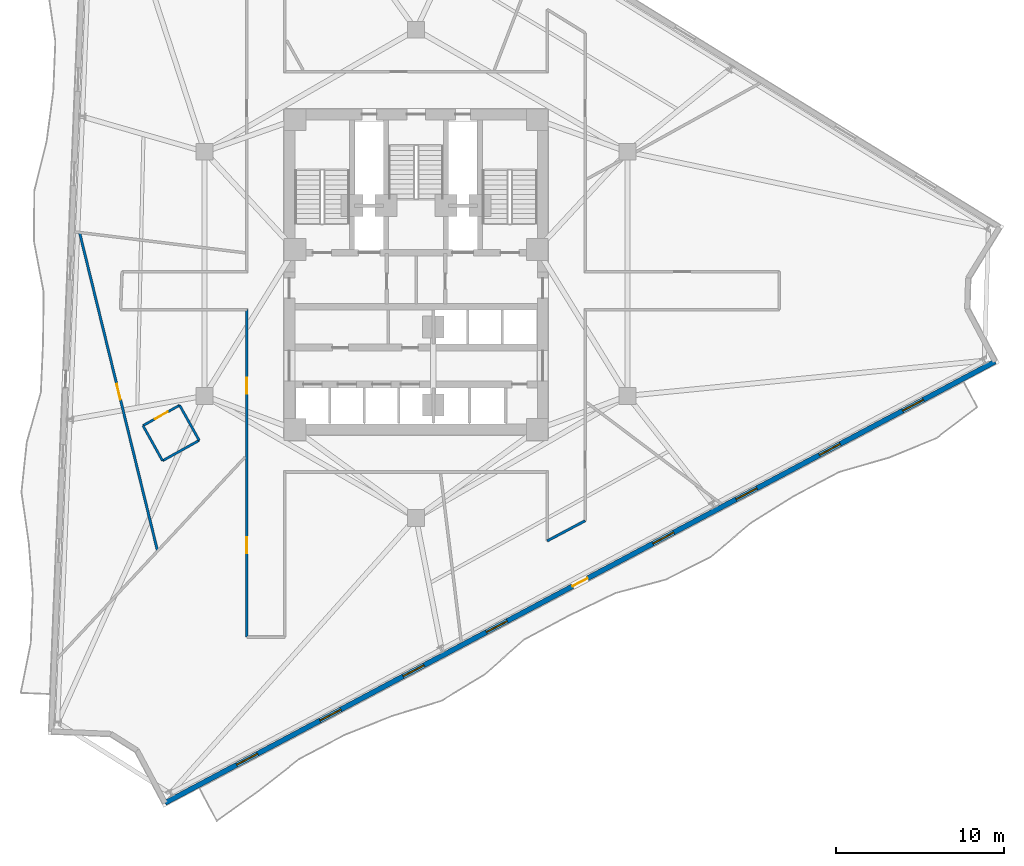
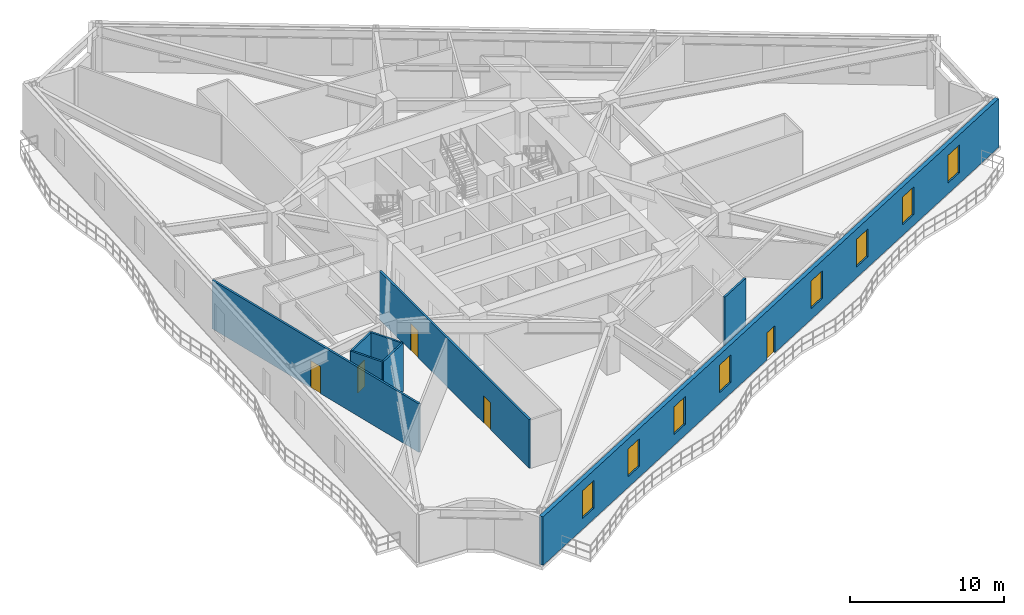
# One storey, part 5 of 11: 8 walls, 8 windows, 5 doors, 13 openings.
"""IFC4 building model written with IfcOpenShell, lengths in metres."""

from ifc_helpers import new_model, si_unit, direction, frame, frame_2d, origin, place, context, subcontext, project, spatial, rectangle, extrude, material, layer, layer_set, type_object, element, fill, save


model = new_model("IFC4")

# Units and contexts
model_context = context("Model", 3, precision=1e-05, world=origin(), true_north=direction((0.0, 1.0)))
body_context = subcontext(model_context, "Body", "Model", "MODEL_VIEW")
ifc_project = project(units=[si_unit("LENGTHUNIT", "METRE"), si_unit("AREAUNIT", "SQUARE_METRE"), si_unit("VOLUMEUNIT", "CUBIC_METRE"), si_unit("PLANEANGLEUNIT", "RADIAN"), si_unit("MASSUNIT", "GRAM", prefix="KILO")], contexts=[model_context])

# Site, building, storey
site_placement = place(None, origin())
site = spatial("IfcSite", under=ifc_project, at=site_placement, CompositionType="ELEMENT")
building_placement = place(site_placement, origin())
building = spatial("IfcBuilding", under=site, at=building_placement, Name="Apsidion Concourse Tower", CompositionType="ELEMENT")
storey_placement = place(building_placement, frame((0.0, 0.0, 169.60009765625)))
storey = spatial("IfcBuildingStorey", under=building, at=storey_placement, Name="L39", CompositionType="ELEMENT", Elevation=169.60009765625)

# Wall, openings, door, windows
ifc_material_1 = material(Name="Precast concrete C40/50", Category="concrete")
ifc_layer_1 = layer(ifc_material_1, 0.300048828125)
ifc_layer_set_1 = layer_set([ifc_layer_1], Name="Precast concrete C40/50")
wall_type_1 = type_object("IfcWallType", Name="WL-EXT-300", PredefinedType="STANDARD", material=ifc_layer_set_1)
wall_1_placement = place(storey_placement, frame((34.398193359375, -5.216796875, 0.0), z_axis=(0.0, 0.0, 1.0), x_axis=(-0.88294811928, -0.469470572731, 0.0)))
wall_1 = element("IfcWall", 1, at=wall_1_placement, inside=storey, type_object=wall_type_1, Name="L39 Precast Stone Facade Wall 05", PredefinedType="STANDARD", context=body_context, shape_type="SweptSolid", body=[
    extrude(rectangle(XDim=55.845458984375, YDim=0.300048828125, at=frame_2d((27.9228515625, 0.0))), origin(), (0.0, 0.0, 1.0), 3.849853515625),
])
opening_1_placement = place(wall_1_placement, frame((27.422607421875, 0.0, 0.0)))
opening_1 = element("IfcOpeningElement", 2, at=opening_1_placement, cuts=wall_1, Name="Opening D-T1L", PredefinedType="OPENING", context=body_context, shape_type="SweptSolid", body=[
    extrude(rectangle(XDim=1.0, YDim=2.14990234375, at=frame_2d((0.5, 1.074951171875))), frame((0.0, 0.16015625, 0.0), z_axis=(0.0, -1.0, 0.0), x_axis=(1.0, 0.0, 0.0)), (0.0, 0.0, 1.0), 0.320068359375),
])
opening_2_placement = place(wall_1_placement, frame((4.82275390625, 0.0, 0.85009765625)))
opening_2 = element("IfcOpeningElement", 3, at=opening_2_placement, cuts=wall_1, Name="Opening WN-05", PredefinedType="OPENING", context=body_context, shape_type="SweptSolid", body=[
    extrude(rectangle(XDim=1.39990234375, YDim=2.199951171875, at=frame_2d((0.699951171875, 1.10009765625))), frame((0.0, 0.16015625, 0.0), z_axis=(0.0, -1.0, 0.0), x_axis=(1.0, 0.0, 0.0)), (0.0, 0.0, 1.0), 0.320068359375),
])
opening_3_placement = place(wall_1_placement, frame((10.422607421875, 0.0, 0.85009765625)))
opening_3 = element("IfcOpeningElement", 4, at=opening_3_placement, cuts=wall_1, Name="Opening WN-05", PredefinedType="OPENING", context=body_context, shape_type="SweptSolid", body=[
    extrude(rectangle(XDim=1.39990234375, YDim=2.199951171875, at=frame_2d((0.699951171875, 1.10009765625))), frame((0.0, 0.16015625, 0.0), z_axis=(0.0, -1.0, 0.0), x_axis=(1.0, 0.0, 0.0)), (0.0, 0.0, 1.0), 0.320068359375),
])
opening_4_placement = place(wall_1_placement, frame((16.022705078125, 0.0, 0.85009765625)))
opening_4 = element("IfcOpeningElement", 5, at=opening_4_placement, cuts=wall_1, Name="Opening WN-05", PredefinedType="OPENING", context=body_context, shape_type="SweptSolid", body=[
    extrude(rectangle(XDim=1.39990234375, YDim=2.199951171875, at=frame_2d((0.699951171875, 1.10009765625))), frame((0.0, 0.16015625, 0.0), z_axis=(0.0, -1.0, 0.0), x_axis=(1.0, 0.0, 0.0)), (0.0, 0.0, 1.0), 0.320068359375),
])
opening_5_placement = place(wall_1_placement, frame((21.622802734375, 0.0, 0.85009765625)))
opening_5 = element("IfcOpeningElement", 6, at=opening_5_placement, cuts=wall_1, Name="Opening WN-05", PredefinedType="OPENING", context=body_context, shape_type="SweptSolid", body=[
    extrude(rectangle(XDim=1.39990234375, YDim=2.199951171875, at=frame_2d((0.699951171875, 1.10009765625))), frame((0.0, 0.16015625, 0.0), z_axis=(0.0, -1.0, 0.0), x_axis=(1.0, 0.0, 0.0)), (0.0, 0.0, 1.0), 0.320068359375),
])
opening_6_placement = place(wall_1_placement, frame((32.82275390625, 0.0, 0.85009765625)))
opening_6 = element("IfcOpeningElement", 7, at=opening_6_placement, cuts=wall_1, Name="Opening WN-05", PredefinedType="OPENING", context=body_context, shape_type="SweptSolid", body=[
    extrude(rectangle(XDim=1.39990234375, YDim=2.199951171875, at=frame_2d((0.699951171875, 1.10009765625))), frame((0.0, 0.16015625, 0.0), z_axis=(0.0, -1.0, 0.0), x_axis=(1.0, 0.0, 0.0)), (0.0, 0.0, 1.0), 0.320068359375),
])
opening_7_placement = place(wall_1_placement, frame((38.422607421875, 0.0, 0.85009765625)))
opening_7 = element("IfcOpeningElement", 8, at=opening_7_placement, cuts=wall_1, Name="Opening WN-05", PredefinedType="OPENING", context=body_context, shape_type="SweptSolid", body=[
    extrude(rectangle(XDim=1.39990234375, YDim=2.199951171875, at=frame_2d((0.699951171875, 1.10009765625))), frame((0.0, 0.16015625, 0.0), z_axis=(0.0, -1.0, 0.0), x_axis=(1.0, 0.0, 0.0)), (0.0, 0.0, 1.0), 0.320068359375),
])
opening_8_placement = place(wall_1_placement, frame((44.022705078125, 0.0, 0.85009765625)))
opening_8 = element("IfcOpeningElement", 9, at=opening_8_placement, cuts=wall_1, Name="Opening WN-05", PredefinedType="OPENING", context=body_context, shape_type="SweptSolid", body=[
    extrude(rectangle(XDim=1.39990234375, YDim=2.199951171875, at=frame_2d((0.699951171875, 1.10009765625))), frame((0.0, 0.16015625, 0.0), z_axis=(0.0, -1.0, 0.0), x_axis=(1.0, 0.0, 0.0)), (0.0, 0.0, 1.0), 0.320068359375),
])
opening_9_placement = place(wall_1_placement, frame((49.622802734375, 0.0, 0.85009765625)))
opening_9 = element("IfcOpeningElement", 10, at=opening_9_placement, cuts=wall_1, Name="Opening WN-05", PredefinedType="OPENING", context=body_context, shape_type="SweptSolid", body=[
    extrude(rectangle(XDim=1.39990234375, YDim=2.199951171875, at=frame_2d((0.699951171875, 1.10009765625))), frame((0.0, 0.16015625, 0.0), z_axis=(0.0, -1.0, 0.0), x_axis=(1.0, 0.0, 0.0)), (0.0, 0.0, 1.0), 0.320068359375),
])
ifc_material_2 = material(Name="Anodised aluminium EN AW-6063 T6", Category="aluminium")
door_type_1 = type_object("IfcDoorType", Name="DR-TER-1022L", OperationType="SINGLE_SWING_LEFT", PredefinedType="DOOR", material=ifc_material_2)
door_1_placement = place(opening_1_placement, origin())
door_1 = element("IfcDoor", 11, at=door_1_placement, inside=storey, type_object=door_type_1, Name="L39 Balcony Access Door 2", OperationType="SINGLE_SWING_LEFT", OverallHeight=2.14990234375, OverallWidth=1.0, PredefinedType="DOOR", context=body_context, shape_type="SweptSolid", body=[
    extrude(rectangle(XDim=1.0, YDim=2.14990234375, at=frame_2d((0.5, 1.074951171875))), frame((0.0, 0.02490234375, 0.0), z_axis=(0.0, -1.0, 0.0), x_axis=(1.0, 0.0, 0.0)), (0.0, 0.0, 1.0), 0.050048828125),
])
fill(opening_1, door_1)
ifc_material_3 = material(Name="Insulated laminated low-E glass", Category="glass")
window_type = type_object("IfcWindowType", Name="WN-OFF-1424", PartitioningType="SINGLE_PANEL", PredefinedType="WINDOW", material=ifc_material_3)
window_1_placement = place(opening_2_placement, origin())
window_1 = element("IfcWindow", 12, at=window_1_placement, inside=storey, type_object=window_type, Name="L39 Punched Facade Window 5-01", OverallHeight=2.199951171875, OverallWidth=1.39990234375, PartitioningType="SINGLE_PANEL", PredefinedType="WINDOW", context=body_context, shape_type="SweptSolid", body=[
    extrude(rectangle(XDim=1.39990234375, YDim=2.199951171875, at=frame_2d((0.699951171875, 1.10009765625))), frame((0.0, 0.030029296875, 0.0), z_axis=(0.0, -1.0, 0.0), x_axis=(1.0, 0.0, 0.0)), (0.0, 0.0, 1.0), 0.06005859375),
])
fill(opening_2, window_1)
window_2_placement = place(opening_3_placement, origin())
window_2 = element("IfcWindow", 13, at=window_2_placement, inside=storey, type_object=window_type, Name="L39 Punched Facade Window 5-02", OverallHeight=2.199951171875, OverallWidth=1.39990234375, PartitioningType="SINGLE_PANEL", PredefinedType="WINDOW", context=body_context, shape_type="SweptSolid", body=[
    extrude(rectangle(XDim=1.39990234375, YDim=2.199951171875, at=frame_2d((0.699951171875, 1.10009765625))), frame((0.0, 0.030029296875, 0.0), z_axis=(0.0, -1.0, 0.0), x_axis=(1.0, 0.0, 0.0)), (0.0, 0.0, 1.0), 0.06005859375),
])
fill(opening_3, window_2)
window_3_placement = place(opening_4_placement, origin())
window_3 = element("IfcWindow", 14, at=window_3_placement, inside=storey, type_object=window_type, Name="L39 Punched Facade Window 5-03", OverallHeight=2.199951171875, OverallWidth=1.39990234375, PartitioningType="SINGLE_PANEL", PredefinedType="WINDOW", context=body_context, shape_type="SweptSolid", body=[
    extrude(rectangle(XDim=1.39990234375, YDim=2.199951171875, at=frame_2d((0.699951171875, 1.10009765625))), frame((0.0, 0.030029296875, 0.0), z_axis=(0.0, -1.0, 0.0), x_axis=(1.0, 0.0, 0.0)), (0.0, 0.0, 1.0), 0.06005859375),
])
fill(opening_4, window_3)
window_4_placement = place(opening_5_placement, origin())
window_4 = element("IfcWindow", 15, at=window_4_placement, inside=storey, type_object=window_type, Name="L39 Punched Facade Window 5-04", OverallHeight=2.199951171875, OverallWidth=1.39990234375, PartitioningType="SINGLE_PANEL", PredefinedType="WINDOW", context=body_context, shape_type="SweptSolid", body=[
    extrude(rectangle(XDim=1.39990234375, YDim=2.199951171875, at=frame_2d((0.699951171875, 1.10009765625))), frame((0.0, 0.030029296875, 0.0), z_axis=(0.0, -1.0, 0.0), x_axis=(1.0, 0.0, 0.0)), (0.0, 0.0, 1.0), 0.06005859375),
])
fill(opening_5, window_4)
window_5_placement = place(opening_6_placement, origin())
window_5 = element("IfcWindow", 16, at=window_5_placement, inside=storey, type_object=window_type, Name="L39 Punched Facade Window 5-06", OverallHeight=2.199951171875, OverallWidth=1.39990234375, PartitioningType="SINGLE_PANEL", PredefinedType="WINDOW", context=body_context, shape_type="SweptSolid", body=[
    extrude(rectangle(XDim=1.39990234375, YDim=2.199951171875, at=frame_2d((0.699951171875, 1.10009765625))), frame((0.0, 0.030029296875, 0.0), z_axis=(0.0, -1.0, 0.0), x_axis=(1.0, 0.0, 0.0)), (0.0, 0.0, 1.0), 0.06005859375),
])
fill(opening_6, window_5)
window_6_placement = place(opening_7_placement, origin())
window_6 = element("IfcWindow", 17, at=window_6_placement, inside=storey, type_object=window_type, Name="L39 Punched Facade Window 5-07", OverallHeight=2.199951171875, OverallWidth=1.39990234375, PartitioningType="SINGLE_PANEL", PredefinedType="WINDOW", context=body_context, shape_type="SweptSolid", body=[
    extrude(rectangle(XDim=1.39990234375, YDim=2.199951171875, at=frame_2d((0.699951171875, 1.10009765625))), frame((0.0, 0.030029296875, 0.0), z_axis=(0.0, -1.0, 0.0), x_axis=(1.0, 0.0, 0.0)), (0.0, 0.0, 1.0), 0.06005859375),
])
fill(opening_7, window_6)
window_7_placement = place(opening_8_placement, origin())
window_7 = element("IfcWindow", 18, at=window_7_placement, inside=storey, type_object=window_type, Name="L39 Punched Facade Window 5-08", OverallHeight=2.199951171875, OverallWidth=1.39990234375, PartitioningType="SINGLE_PANEL", PredefinedType="WINDOW", context=body_context, shape_type="SweptSolid", body=[
    extrude(rectangle(XDim=1.39990234375, YDim=2.199951171875, at=frame_2d((0.699951171875, 1.10009765625))), frame((0.0, 0.030029296875, 0.0), z_axis=(0.0, -1.0, 0.0), x_axis=(1.0, 0.0, 0.0)), (0.0, 0.0, 1.0), 0.06005859375),
])
fill(opening_8, window_7)
window_8_placement = place(opening_9_placement, origin())
window_8 = element("IfcWindow", 19, at=window_8_placement, inside=storey, type_object=window_type, Name="L39 Punched Facade Window 5-09", OverallHeight=2.199951171875, OverallWidth=1.39990234375, PartitioningType="SINGLE_PANEL", PredefinedType="WINDOW", context=body_context, shape_type="SweptSolid", body=[
    extrude(rectangle(XDim=1.39990234375, YDim=2.199951171875, at=frame_2d((0.699951171875, 1.10009765625))), frame((0.0, 0.030029296875, 0.0), z_axis=(0.0, -1.0, 0.0), x_axis=(1.0, 0.0, 0.0)), (0.0, 0.0, 1.0), 0.06005859375),
])
fill(opening_9, window_8)

# Wall, opening, door
ifc_material_4 = material(Name="Gypsum plasterboard partition")
ifc_layer_2 = layer(ifc_material_4, 0.139892578125)
ifc_layer_set_2 = layer_set([ifc_layer_2], Name="Gypsum plasterboard partition")
wall_type_2 = type_object("IfcWallType", Name="WL-INT-PAR-140", PredefinedType="PARTITIONING", material=ifc_layer_set_2)
wall_2_placement = place(storey_placement, frame((-14.046630859375, -7.80810546875, 0.0), z_axis=(0.0, 0.0, 1.0), x_axis=(-0.873763846555, -0.486350429684, 0.0)))
wall_2 = element("IfcWall", 20, at=wall_2_placement, inside=storey, type_object=wall_type_2, Name="L39 Interior Partition WL-L39-POD-OFAWC-S1", PredefinedType="PARTITIONING", context=body_context, shape_type="SweptSolid", body=[
    extrude(rectangle(XDim=2.48974609375, YDim=0.139892578125, at=frame_2d((1.244873046875, 0.0))), origin(), (0.0, 0.0, 1.0), 3.849853515625),
])
opening_10_placement = place(wall_2_placement, frame((0.804931640625, 0.0, 0.0)))
opening_10 = element("IfcOpeningElement", 21, at=opening_10_placement, cuts=wall_2, Name="Opening D-03R", PredefinedType="OPENING", context=body_context, shape_type="SweptSolid", body=[
    extrude(rectangle(XDim=0.8798828125, YDim=2.10009765625, at=frame_2d((0.43994140625, 1.050048828125))), frame((0.0, 0.080078125, 0.0), z_axis=(0.0, -1.0, 0.0), x_axis=(1.0, 0.0, 0.0)), (0.0, 0.0, 1.0), 0.159912109375),
])
door_type_2 = type_object("IfcDoorType", Name="DR-INT-D03R", OperationType="SINGLE_SWING_RIGHT", PredefinedType="DOOR", material=ifc_material_2)
door_2_placement = place(opening_10_placement, origin())
door_2 = element("IfcDoor", 22, at=door_2_placement, inside=storey, type_object=door_type_2, Name="L39 Office Accessible WC Door OFAWC", OperationType="SINGLE_SWING_RIGHT", OverallHeight=2.10009765625, OverallWidth=0.8798828125, PredefinedType="DOOR", context=body_context, shape_type="SweptSolid", body=[
    extrude(rectangle(XDim=0.8798828125, YDim=2.10009765625, at=frame_2d((0.43994140625, 1.050048828125))), frame((0.0, 0.02490234375, 0.0), z_axis=(0.0, -1.0, 0.0), x_axis=(1.0, 0.0, 0.0)), (0.0, 0.0, 1.0), 0.050048828125),
])
fill(opening_10, door_2)

# Walls
wall_3_placement = place(storey_placement, frame((-16.22216796875, -9.01904296875, 0.0), z_axis=(0.0, 0.0, 1.0), x_axis=(0.486327946389, -0.873776360725, 0.0)))
element("IfcWall", 23, at=wall_3_placement, inside=storey, type_object=wall_type_2, Name="L39 Interior Partition WL-L39-POD-OFAWC-S2", PredefinedType="PARTITIONING", context=body_context, shape_type="SweptSolid", body=[
    extrude(rectangle(XDim=2.39013671875, YDim=0.139892578125, at=frame_2d((1.195068359375, 0.0))), origin(), (0.0, 0.0, 1.0), 3.849853515625),
])
wall_4_placement = place(storey_placement, frame((-15.059814453125, -11.107421875, 0.0), z_axis=(0.0, 0.0, 1.0), x_axis=(0.873763846555, 0.486350429684, 0.0)))
element("IfcWall", 24, at=wall_4_placement, inside=storey, type_object=wall_type_2, Name="L39 Interior Partition WL-L39-POD-OFAWC-S3", PredefinedType="PARTITIONING", context=body_context, shape_type="SweptSolid", body=[
    extrude(rectangle(XDim=2.48974609375, YDim=0.139892578125, at=frame_2d((1.244873046875, 0.0))), origin(), (0.0, 0.0, 1.0), 3.849853515625),
])
wall_5_placement = place(storey_placement, frame((-12.88427734375, -9.896484375, 0.0), z_axis=(0.0, 0.0, 1.0), x_axis=(-0.486327946389, 0.873776360725, 0.0)))
element("IfcWall", 25, at=wall_5_placement, inside=storey, type_object=wall_type_2, Name="L39 Interior Partition WL-L39-POD-OFAWC-S4", PredefinedType="PARTITIONING", context=body_context, shape_type="SweptSolid", body=[
    extrude(rectangle(XDim=2.39013671875, YDim=0.139892578125, at=frame_2d((1.195068359375, 0.0))), origin(), (0.0, 0.0, 1.0), 3.849853515625),
])
ifc_layer_3 = layer(ifc_material_4, 0.14990234375)
ifc_layer_set_3 = layer_set([ifc_layer_3], Name="Gypsum plasterboard partition")
wall_type_3 = type_object("IfcWallType", Name="WL-INT-PAR-150", PredefinedType="PARTITIONING", material=ifc_layer_set_3)
wall_6_placement = place(storey_placement, frame((10.050048828125, -14.6689453125, 0.0), z_axis=(0.0, 0.0, 1.0), x_axis=(-0.88294894539, -0.469469019035, 0.0)))
element("IfcWall", 26, at=wall_6_placement, inside=storey, type_object=wall_type_3, Name="L39 Interior Partition WL-L39-CORR-01", PredefinedType="PARTITIONING", context=body_context, shape_type="SweptSolid", body=[
    extrude(rectangle(XDim=2.5595703125, YDim=0.14990234375, at=frame_2d((1.27978515625, 0.0))), origin(), (0.0, 0.0, 1.0), 3.849853515625),
])

# Wall, openings, doors
wall_7_placement = place(storey_placement, frame((-10.050048828125, -21.580078125, 0.0), z_axis=(0.0, 0.0, 1.0), x_axis=(0.0, 1.0, 0.0)))
wall_7 = element("IfcWall", 27, at=wall_7_placement, inside=storey, type_object=wall_type_3, Name="L39 Interior Partition WL-L39-CORR-06", PredefinedType="PARTITIONING", context=body_context, shape_type="SweptSolid", body=[
    extrude(rectangle(XDim=19.4501953125, YDim=0.14990234375, at=frame_2d((9.72509765625, 0.0))), origin(), (0.0, 0.0, 1.0), 3.849853515625),
])
opening_11_placement = place(wall_7_placement, frame((14.456787109375, 0.0, 0.0)))
opening_11 = element("IfcOpeningElement", 28, at=opening_11_placement, cuts=wall_7, Name="Opening D-01L", PredefinedType="OPENING", context=body_context, shape_type="SweptSolid", body=[
    extrude(rectangle(XDim=0.949951171875, YDim=2.14990234375, at=frame_2d((0.47509765625, 1.074951171875))), frame((0.0, 0.0849609375, 0.0), z_axis=(0.0, -1.0, 0.0), x_axis=(1.0, 0.0, 0.0)), (0.0, 0.0, 1.0), 0.169921875),
])
opening_12_placement = place(wall_7_placement, frame((4.990478515625, 0.0, 0.0)))
opening_12 = element("IfcOpeningElement", 29, at=opening_12_placement, cuts=wall_7, Name="Opening D-01R", PredefinedType="OPENING", context=body_context, shape_type="SweptSolid", body=[
    extrude(rectangle(XDim=0.949951171875, YDim=2.14990234375, at=frame_2d((0.47509765625, 1.074951171875))), frame((0.0, 0.0849609375, 0.0), z_axis=(0.0, -1.0, 0.0), x_axis=(1.0, 0.0, 0.0)), (0.0, 0.0, 1.0), 0.169921875),
])
ifc_material_5 = material(Name="Brushed stainless steel 316", Category="steel")
door_type_3 = type_object("IfcDoorType", Name="DR-INT-D01L", OperationType="SINGLE_SWING_LEFT", PredefinedType="DOOR", material=ifc_material_5)
door_3_placement = place(opening_11_placement, origin())
door_3 = element("IfcDoor", 30, at=door_3_placement, inside=storey, type_object=door_type_3, Name="L39 Corridor Entry Door 01", OperationType="SINGLE_SWING_LEFT", OverallHeight=2.14990234375, OverallWidth=0.949951171875, PredefinedType="DOOR", context=body_context, shape_type="SweptSolid", body=[
    extrude(rectangle(XDim=0.949951171875, YDim=2.14990234375, at=frame_2d((0.47509765625, 1.074951171875))), frame((0.0, 0.02490234375, 0.0), z_axis=(0.0, -1.0, 0.0), x_axis=(1.0, 0.0, 0.0)), (0.0, 0.0, 1.0), 0.050048828125),
])
fill(opening_11, door_3)
door_type_4 = type_object("IfcDoorType", Name="DR-INT-D01R", OperationType="SINGLE_SWING_RIGHT", PredefinedType="DOOR", material=ifc_material_5)
door_4_placement = place(opening_12_placement, origin())
door_4 = element("IfcDoor", 31, at=door_4_placement, inside=storey, type_object=door_type_4, Name="L39 Corridor Entry Door 02", OperationType="SINGLE_SWING_RIGHT", OverallHeight=2.14990234375, OverallWidth=0.949951171875, PredefinedType="DOOR", context=body_context, shape_type="SweptSolid", body=[
    extrude(rectangle(XDim=0.949951171875, YDim=2.14990234375, at=frame_2d((0.47509765625, 1.074951171875))), frame((0.0, 0.02490234375, 0.0), z_axis=(0.0, -1.0, 0.0), x_axis=(1.0, 0.0, 0.0)), (0.0, 0.0, 1.0), 0.050048828125),
])
fill(opening_12, door_4)

# Wall, opening, door
wall_8_placement = place(storey_placement, frame((-19.98486328125, 2.4287109375, 0.0), z_axis=(0.0, 0.0, 1.0), x_axis=(0.237845741831, -0.971302940947, 0.0)))
wall_8 = element("IfcWall", 32, at=wall_8_placement, inside=storey, type_object=wall_type_3, Name="L39 Interior Partition WL-L39-CHD-OFWC", PredefinedType="PARTITIONING", context=body_context, shape_type="SweptSolid", body=[
    extrude(rectangle(XDim=19.42578125, YDim=0.14990234375, at=frame_2d((9.712890625, 0.0))), origin(), (0.0, 0.0, 1.0), 3.849853515625),
])
opening_13_placement = place(wall_8_placement, frame((9.23779296875, 0.0, 0.0)))
opening_13 = element("IfcOpeningElement", 33, at=opening_13_placement, cuts=wall_8, Name="Opening D-04L", PredefinedType="OPENING", context=body_context, shape_type="SweptSolid", body=[
    extrude(rectangle(XDim=0.949951171875, YDim=2.14990234375, at=frame_2d((0.47509765625, 1.074951171875))), frame((0.0, 0.0849609375, 0.0), z_axis=(0.0, -1.0, 0.0), x_axis=(1.0, 0.0, 0.0)), (0.0, 0.0, 1.0), 0.169921875),
])
door_type_5 = type_object("IfcDoorType", Name="DR-INT-D04L", OperationType="SINGLE_SWING_LEFT", PredefinedType="DOOR", material=ifc_material_5)
door_5_placement = place(opening_13_placement, origin())
door_5 = element("IfcDoor", 34, at=door_5_placement, inside=storey, type_object=door_type_5, Name="L39 Suite Connecting Door OFWC", OperationType="SINGLE_SWING_LEFT", OverallHeight=2.14990234375, OverallWidth=0.949951171875, PredefinedType="DOOR", context=body_context, shape_type="SweptSolid", body=[
    extrude(rectangle(XDim=0.949951171875, YDim=2.14990234375, at=frame_2d((0.47509765625, 1.074951171875))), frame((0.0, 0.02490234375, 0.0), z_axis=(0.0, -1.0, 0.0), x_axis=(1.0, 0.0, 0.0)), (0.0, 0.0, 1.0), 0.050048828125),
])
fill(opening_13, door_5)

save(model, "model.ifc")
